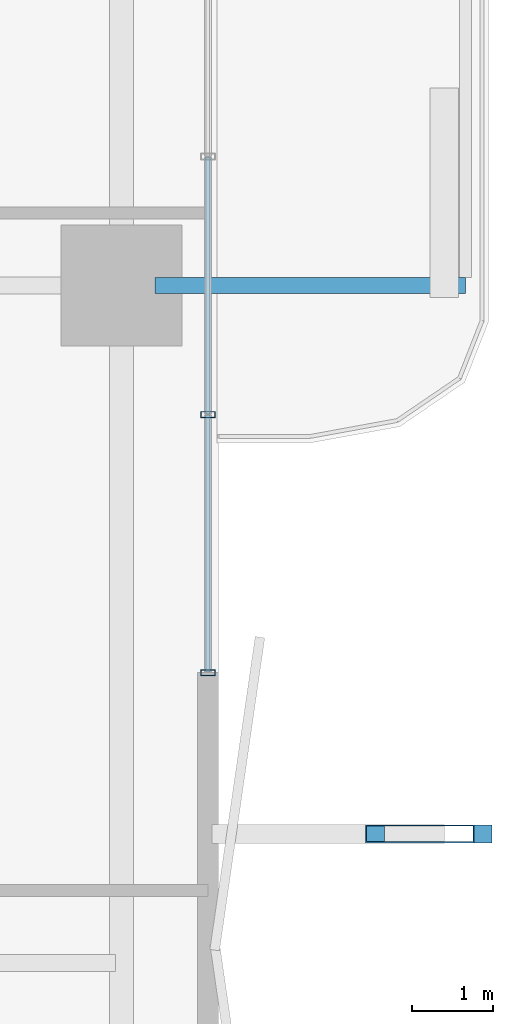
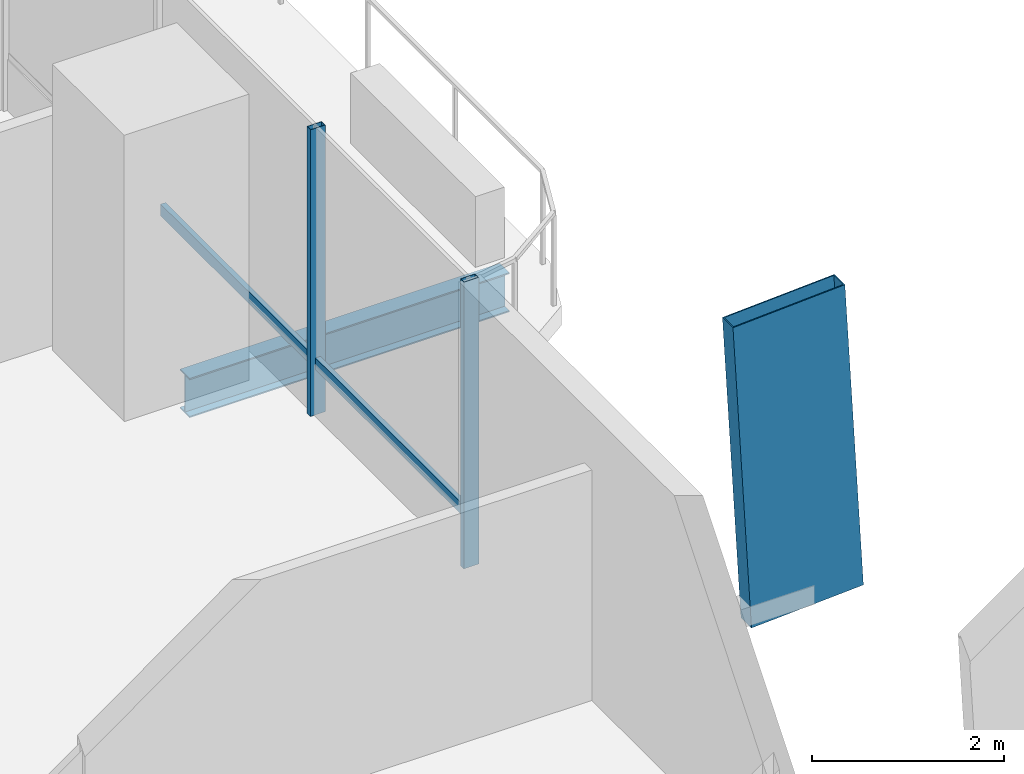
# One storey, part 8 of 24: 5 members, 1 beam, 1 element without a shape of its own.
"""IFC4 building model written with IfcOpenShell, lengths in metres."""

from ifc_helpers import new_model, si_unit, direction, frame, origin, origin_2d, place, context, subcontext, project, spatial, hollow_rectangle, i_section, extrude, material, layer, layer_set, material_profile, profile_set, type_object, element, aggregate, save


model = new_model("IFC4")

# Units and contexts
model_context = context("Model", 3, precision=1e-05, world=origin(), true_north=direction((0.0, 1.0)))
body_context = subcontext(model_context, "Body", "Model", "MODEL_VIEW")
ifc_project = project(units=[si_unit("LENGTHUNIT", "METRE"), si_unit("AREAUNIT", "SQUARE_METRE"), si_unit("VOLUMEUNIT", "CUBIC_METRE"), si_unit("PLANEANGLEUNIT", "RADIAN"), si_unit("MASSUNIT", "GRAM", prefix="KILO")], contexts=[model_context])

# Site, building, storey
site_placement = place(None, origin())
site = spatial("IfcSite", under=ifc_project, at=site_placement, CompositionType="ELEMENT")
building_placement = place(site_placement, origin())
building = spatial("IfcBuilding", under=site, at=building_placement, Name="Belovzor Exchange Tower", CompositionType="ELEMENT")
storey_placement = place(building_placement, frame((0.0, 0.0, 45.60009765625)))
storey = spatial("IfcBuildingStorey", under=building, at=storey_placement, Name="L10", CompositionType="ELEMENT", Elevation=45.60009765625)

# Member
ifc_material_1 = material(Name="Extruded Architectural Terracotta on Steel S355 Carrier", Category="masonry")
ifc_material_profile_1 = material_profile(ifc_material_1, hollow_rectangle(XDim=0.219970703125, YDim=1.35009765625, WallThickness=0.013916015625, at=origin_2d()))
ifc_profile_set_1 = profile_set([ifc_material_profile_1], Name="Extruded Architectural Terracotta on Steel S355 Carrier")
member_type_1 = type_object("IfcMemberType", Name="Base Arc Sweeping Terracotta Pylon Fin 1450", PredefinedType="USERDEFINED", material=ifc_profile_set_1)
member_1_placement = place(storey_placement, frame((59.4208984375, 22.0, -0.25), z_axis=(-0.057062249796, 0.0, 0.998370622388), x_axis=(0.0, -1.0, 0.0)))
element("IfcMember", 1, at=member_1_placement, inside=storey, type_object=member_type_1, Name="FIN-TC145 Terracotta Facade Fin L10 E2", ObjectType="FIN", PredefinedType="USERDEFINED", context=body_context, shape_type="SweptSolid", body=[
    extrude(hollow_rectangle(XDim=0.219970703125, YDim=1.35009765625, WallThickness=0.013916015625, at=origin_2d()), origin(), (0.0, 0.0, 1.0), 3.90625),
])

# Beam
ifc_material_2 = material(Name="Steel S355", Category="steel")
ifc_material_profile_2 = material_profile(ifc_material_2, i_section(OverallWidth=0.199951171875, OverallDepth=0.5, WebThickness=0.01025390625, FlangeThickness=0.01611328125, at=origin_2d()))
ifc_profile_set_2 = profile_set([ifc_material_profile_2], Name="Steel S355")
beam_type = type_object("IfcBeamType", Name="Planted Balcony Cantilever Beam IPE 500", PredefinedType="BEAM", material=ifc_profile_set_2)
beam_placement = place(storey_placement, frame((55.9130859375, 28.800048828125, -0.5), z_axis=(1.0, 0.0, 0.0), x_axis=(0.0, 1.0, 0.0)))
element("IfcBeam", 2, at=beam_placement, inside=storey, type_object=beam_type, Name="BC-500 Planted Balcony Cantilever Beam IPE 500", PredefinedType="BEAM", context=body_context, shape_type="SweptSolid", body=[
    extrude(i_section(OverallWidth=0.199951171875, OverallDepth=0.5, WebThickness=0.01025390625, FlangeThickness=0.01611328125, at=origin_2d()), origin(), (0.0, 0.0, 1.0), 3.849853515625),
])

# Curtain wall, members
ifc_material_3 = material(Name="Anodised Aluminium Framing", Category="aluminium")
ifc_layer = layer(ifc_material_3, 0.179931640625)
ifc_layer_set = layer_set([ifc_layer], Name="Anodised Aluminium Framing")
curtain_wall_type = type_object("IfcCurtainWallType", Name="Recessed Loggia Low-Iron Triple-Glazed Curtain Wall", PredefinedType="NOTDEFINED", material=ifc_layer_set)
curtain_wall_placement = place(storey_placement, origin())
curtain_wall = element("IfcCurtainWall", 3, at=curtain_wall_placement, inside=storey, type_object=curtain_wall_type, Name="CW3 Recessed Loggia Low-Iron Triple-Glazed Curtain Wall L10", PredefinedType="NOTDEFINED")
ifc_material_4 = material(Name="Steel S355", Category="steel")
ifc_material_profile_3 = material_profile(ifc_material_4, hollow_rectangle(XDim=0.074951171875, YDim=0.179931640625, WallThickness=0.0048828125, at=origin_2d()))
ifc_profile_set_3 = profile_set([ifc_material_profile_3], Name="Steel S355")
member_type_2 = type_object("IfcMemberType", Name="Thermally Broken Curtain Wall Mullion 180x75", PredefinedType="MULLION", material=ifc_profile_set_3)
member_2_placement = place(storey_placement, frame((56.570068359375, 27.199951171875, 0.0), z_axis=(0.0, 0.0, 1.0), x_axis=(0.0, -1.0, 0.0)))
member_2 = element("IfcMember", 4, at=member_2_placement, type_object=member_type_2, Name="CW-M180 Curtain Wall Mullion 3", PredefinedType="MULLION", context=body_context, shape_type="SweptSolid", body=[
    extrude(hollow_rectangle(XDim=0.074951171875, YDim=0.179931640625, WallThickness=0.0048828125, at=origin_2d()), origin(), (0.0, 0.0, 1.0), 3.64990234375),
])
member_3_placement = place(storey_placement, frame((56.570068359375, 24.0, 0.0), z_axis=(0.0, 0.0, 1.0), x_axis=(0.0, -1.0, 0.0)))
member_3 = element("IfcMember", 5, at=member_3_placement, type_object=member_type_2, Name="CW-M180 Curtain Wall Mullion 4", PredefinedType="MULLION", context=body_context, shape_type="SweptSolid", body=[
    extrude(hollow_rectangle(XDim=0.074951171875, YDim=0.179931640625, WallThickness=0.0048828125, at=origin_2d()), origin(), (0.0, 0.0, 1.0), 3.64990234375),
])
ifc_material_5 = material(Name="Steel S355", Category="steel")
ifc_material_profile_4 = material_profile(ifc_material_5, hollow_rectangle(XDim=0.06005859375, YDim=0.14990234375, WallThickness=0.00390625, at=origin_2d()))
ifc_profile_set_4 = profile_set([ifc_material_profile_4], Name="Steel S355")
member_type_3 = type_object("IfcMemberType", Name="Thermally Broken Curtain Wall Transom 150x60", PredefinedType="USERDEFINED", material=ifc_profile_set_4)
member_4_placement = place(storey_placement, frame((56.570068359375, 30.39208984375, 0.64990234375), z_axis=(0.0, -1.0, 0.0), x_axis=(1.0, 0.0, 0.0)))
member_4 = element("IfcMember", 6, at=member_4_placement, type_object=member_type_3, Name="CW-T150 Curtain Wall Transom 2", ObjectType="TRANSOM", PredefinedType="USERDEFINED", context=body_context, shape_type="SweptSolid", body=[
    extrude(hollow_rectangle(XDim=0.06005859375, YDim=0.14990234375, WallThickness=0.00390625, at=origin_2d()), origin(), (0.0, 0.0, 1.0), 3.18408203125),
])
member_5_placement = place(storey_placement, frame((56.570068359375, 27.19189453125, 0.64990234375), z_axis=(0.0, -1.0, 0.0), x_axis=(1.0, 0.0, 0.0)))
member_5 = element("IfcMember", 7, at=member_5_placement, type_object=member_type_3, Name="CW-T150 Curtain Wall Transom 3", ObjectType="TRANSOM", PredefinedType="USERDEFINED", context=body_context, shape_type="SweptSolid", body=[
    extrude(hollow_rectangle(XDim=0.06005859375, YDim=0.14990234375, WallThickness=0.00390625, at=origin_2d()), origin(), (0.0, 0.0, 1.0), 3.183837890625),
])
aggregate(curtain_wall, [member_2, member_3, member_4, member_5])

save(model, "model.ifc")
